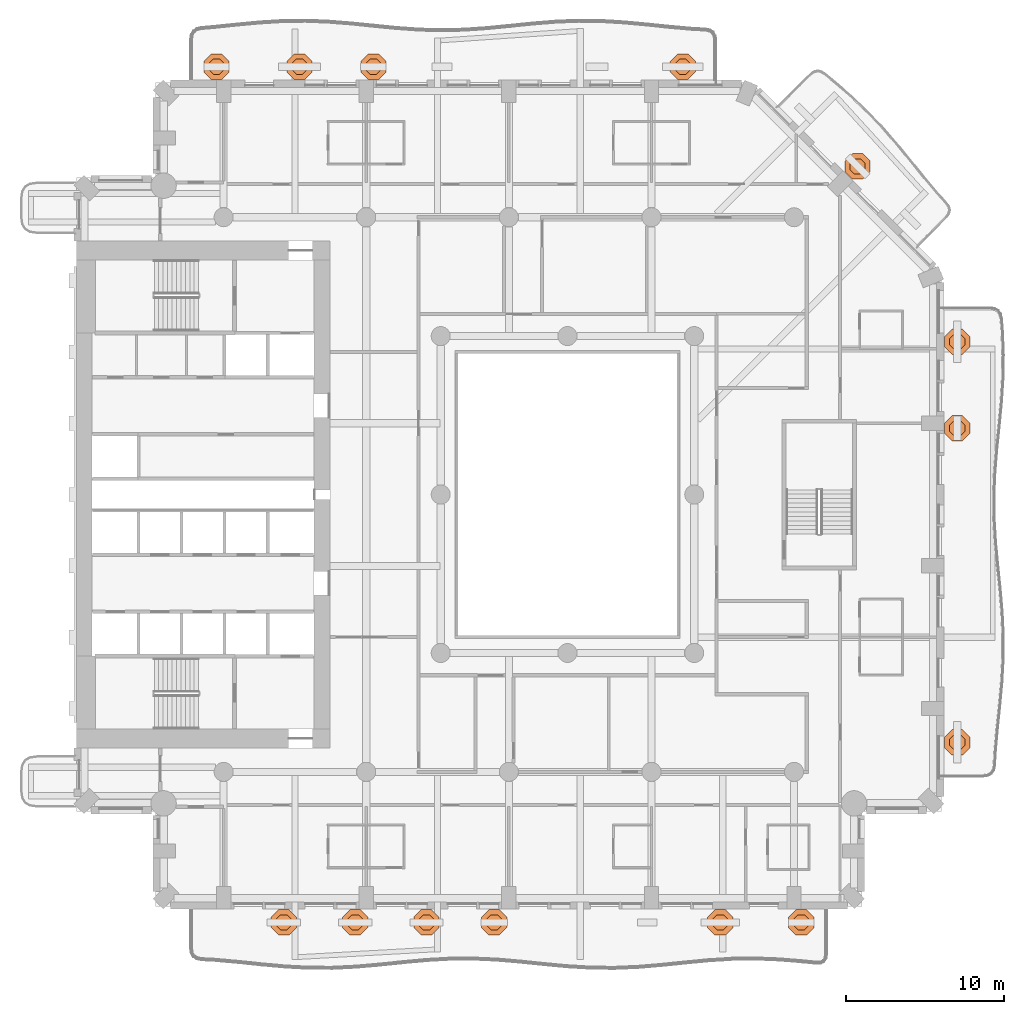
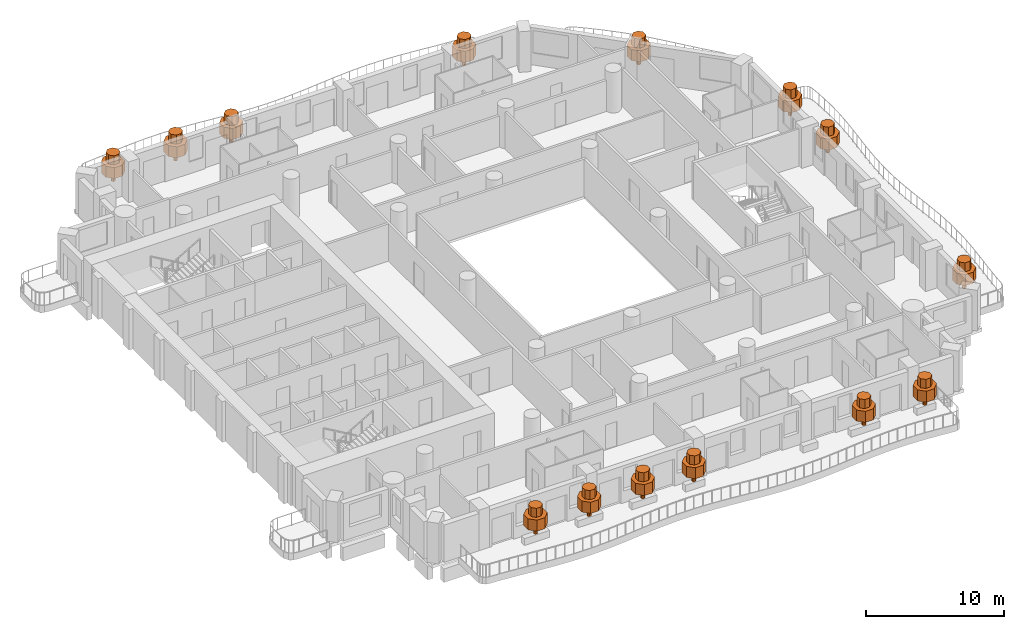
# One storey, part 19 of 19: 14 geographic elements.
"""IFC4 building model written with IfcOpenShell, lengths in metres."""

from ifc_helpers import new_model, si_unit, direction, frame, origin, place, context, subcontext, project, spatial, polyline, outline, extrude, material, type_object, element, save


model = new_model("IFC4")

# Units and contexts
model_context = context("Model", 3, precision=1e-05, world=origin(), true_north=direction((0.0, 1.0)))
body_context = subcontext(model_context, "Body", "Model", "MODEL_VIEW")
ifc_project = project(units=[si_unit("LENGTHUNIT", "METRE"), si_unit("AREAUNIT", "SQUARE_METRE"), si_unit("VOLUMEUNIT", "CUBIC_METRE"), si_unit("PLANEANGLEUNIT", "RADIAN"), si_unit("MASSUNIT", "GRAM", prefix="KILO")], contexts=[model_context])

# Site, building, storey
site_placement = place(None, origin())
site = spatial("IfcSite", under=ifc_project, at=site_placement, CompositionType="ELEMENT")
building_placement = place(site_placement, origin())
building = spatial("IfcBuilding", under=site, at=building_placement, Name="Cypress Arch Tower", CompositionType="ELEMENT")
storey_placement = place(building_placement, frame((0.0, 0.0, 66.300048828125)))
storey = spatial("IfcBuildingStorey", under=building, at=storey_placement, Name="L10", CompositionType="ELEMENT", Elevation=66.300048828125)

# Geographic elements
ifc_material = material(Name="Foliage and planting")
geographic_element_type = type_object("IfcGeographicElementType", Name="Balcony tree TR", PredefinedType="USERDEFINED", material=ifc_material)
for number, where, z_axis, x_axis, name in (
    (1, (-16.89990234375, -27.0, 0.599853515625), (0.0, 0.0, 1.0), (1.0, 0.0, 0.0), "Balcony tree L10-A03.1"),
    (2, (-12.39990234375, -27.0, 0.599853515625), (0.0, 0.0, 1.0), (1.0, 0.0, 0.0), "Balcony tree L10-A03.2"),
    (3, (-7.89990234375, -27.0, 0.599853515625), (0.0, 0.0, 1.0), (1.0, 0.0, 0.0), "Balcony tree L10-A03.3"),
    (4, (-3.625, -27.0, 0.599853515625), (0.0, 0.0, 1.0), (1.0, 0.0, 0.0), "Balcony tree L10-A03.4"),
    (5, (10.639892578125, -27.0, 0.599853515625), (0.0, 0.0, 1.0), (1.0, 0.0, 0.0), "Balcony tree L10-A03.6"),
    (6, (15.75, -27.0, 0.599853515625), (0.0, 0.0, 1.0), (1.0, 0.0, 0.0), "Balcony tree L10-A03.7"),
    (7, (25.60009765625, -15.642822265625, 0.599853515625), (0.0, 0.0, 1.0), (1.0, 0.0, 0.0), "Balcony tree L10-A06.1"),
    (8, (25.60009765625, 4.1826171875, 0.599853515625), (0.0, 0.0, 1.0), (1.0, 0.0, 0.0), "Balcony tree L10-A06.2"),
    (9, (25.60009765625, 9.642822265625, 0.599853515625), (0.0, 0.0, 1.0), (1.0, 0.0, 0.0), "Balcony tree L10-A06.3"),
    (10, (19.30712890625, 20.70703125, 0.599853515625), (0.0, 0.0, 1.0), (1.0, 0.0, 0.0), "Balcony tree L10-A07.2"),
    (11, (8.28125, 27.0, 0.599853515625), (0.0, 0.0, 1.0), (1.0, 0.0, 0.0), "Balcony tree L10-A08.1"),
    (12, (-11.24365234375, 27.0, 0.599853515625), (0.0, 0.0, 1.0), (1.0, 0.0, 0.0), "Balcony tree L10-A08.4"),
    (13, (-15.91259765625, 27.0, 0.599853515625), (0.0, 0.0, 1.0), (1.0, 0.0, 0.0), "Balcony tree L10-A08.5"),
    (14, (-21.14990234375, 27.0, 0.599853515625), (0.0, 0.0, 1.0), (1.0, 0.0, 0.0), "Balcony tree L10-A08.6"),
):
    element("IfcGeographicElement", number, at=place(storey_placement, frame(where, z_axis=z_axis, x_axis=x_axis)), inside=storey, type_object=geographic_element_type, Name=name, ObjectType="TREE", PredefinedType="USERDEFINED", context=body_context, shape_type="SweptSolid", body=[
        extrude(outline(polyline([(0.14990234375, 0.06201171875), (0.06201171875, 0.14990234375), (-0.06201171875, 0.14990234375), (-0.14990234375, 0.06201171875), (-0.14990234375, -0.06201171875), (-0.06201171875, -0.14990234375), (0.06201171875, -0.14990234375), (0.14990234375, -0.06201171875), (0.14990234375, 0.06201171875)])), origin(), (0.0, 0.0, 1.0), 0.864990234375),
        extrude(outline(polyline([(0.800048828125, 0.331298828125), (0.331298828125, 0.800048828125), (-0.331298828125, 0.800048828125), (-0.800048828125, 0.331298828125), (-0.800048828125, -0.331298828125), (-0.331298828125, -0.800048828125), (0.331298828125, -0.800048828125), (0.800048828125, -0.331298828125), (0.800048828125, 0.331298828125)])), frame((0.0, 0.0, 0.764892578125)), (0.0, 0.0, 1.0), 0.981689453125),
        extrude(outline(polyline([(0.47998046875, 0.19873046875), (0.19873046875, 0.47998046875), (-0.19873046875, 0.47998046875), (-0.47998046875, 0.19873046875), (-0.47998046875, -0.19873046875), (-0.19873046875, -0.47998046875), (0.19873046875, -0.47998046875), (0.47998046875, -0.19873046875), (0.47998046875, 0.19873046875)])), frame((0.0, 0.0, 1.746826171875)), (0.0, 0.0, 1.0), 0.80322265625),
    ])

save(model, "model.ifc")
